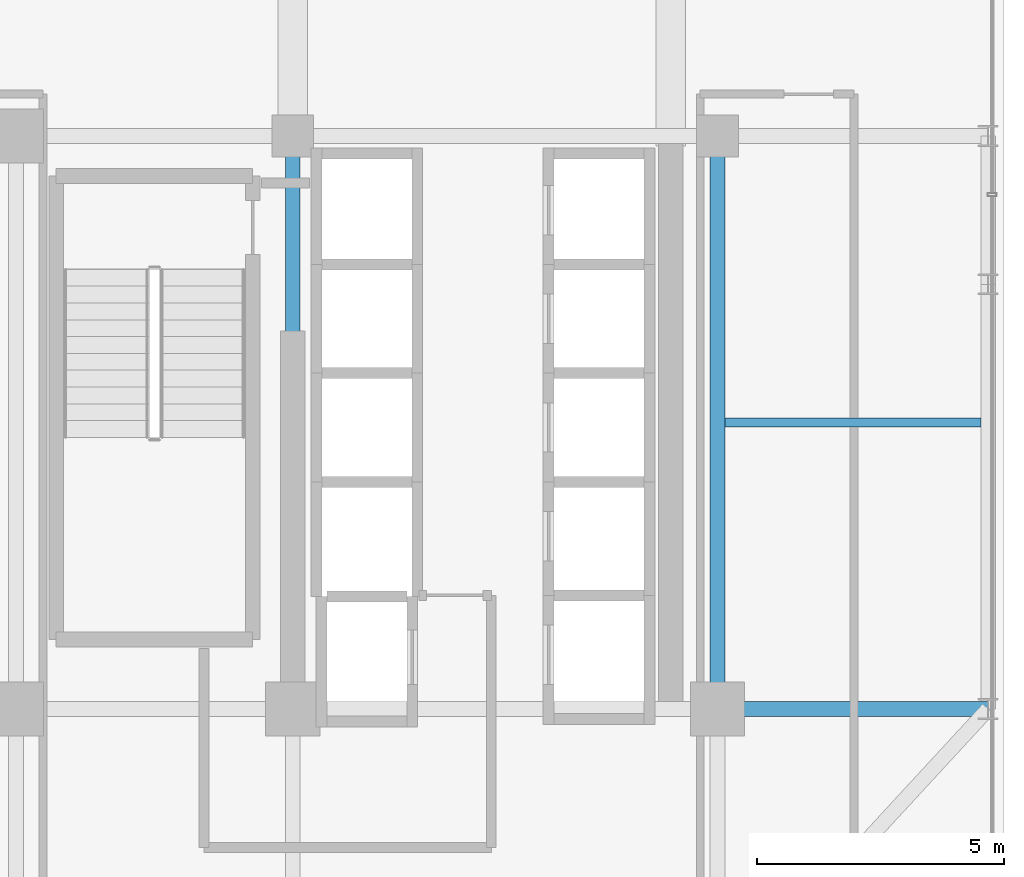
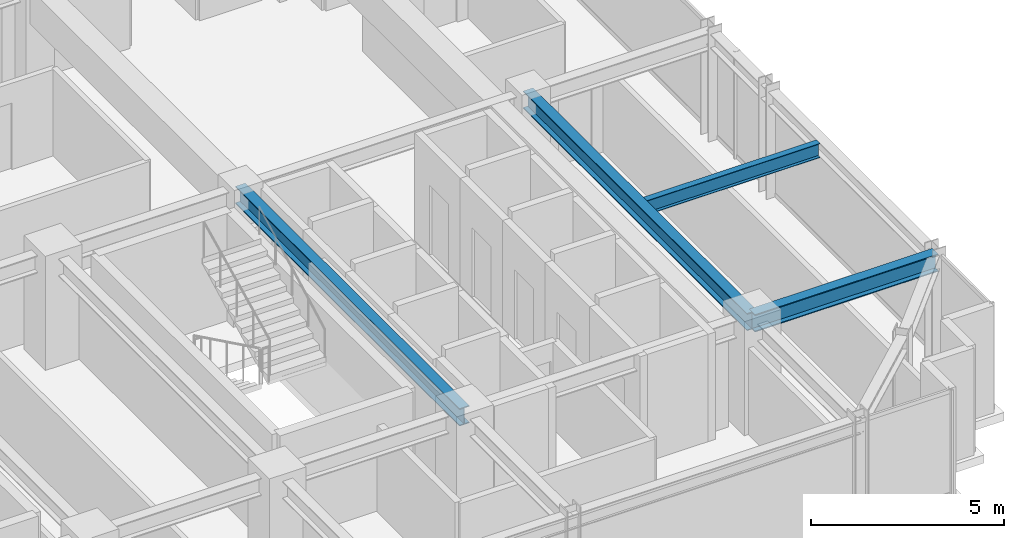
# One storey, part 13 of 31: 4 beams.
"""IFC4 building model written with IfcOpenShell, lengths in metres."""

import ifcopenshell
import ifcopenshell.guid

model = None  # the IFC model being written
_history = None  # IfcOwnerHistory: only IFC2X3 demands one
_inside = {}  # id of a spatial element -> (the spatial element, [elements in it])
_under = {}  # id of a project, library or spatial element -> (it, [spatial elements below it])
_declared = {}  # id of a project -> (the project, [libraries it declares])
_typed = {}  # id of a type object -> (the type object, [elements of that type])
_made_of = {}  # id of a material, layer set ... -> (it, [elements and type objects made of it])


def new_model(schema):
    """Start an empty IFC model of exactly this schema.

    Asked for "IFC4X3", IfcOpenShell would pick the latest addendum, in which some entities
    have other attributes; the version numbers below select the first issue.
    IFC2X3 requires an IfcOwnerHistory on every rooted entity: one is made here for all.
    """
    global model, _history
    if schema == "IFC4X3":
        model = ifcopenshell.file(schema_version=(4, 3, 0, 0))
    else:
        model = ifcopenshell.file(schema=schema)
    _inside.clear()
    _under.clear()
    _declared.clear()
    _typed.clear()
    _made_of.clear()
    _history = None
    if model.schema == "IFC2X3":
        org = make("IfcOrganization", Name="unknown")
        user = make(
            "IfcPersonAndOrganization",
            ThePerson=make("IfcPerson", FamilyName="unknown"),
            TheOrganization=org,
        )
        app = make(
            "IfcApplication",
            ApplicationDeveloper=org,
            Version="unknown",
            ApplicationFullName="unknown",
            ApplicationIdentifier="unknown",
        )
        _history = make(
            "IfcOwnerHistory",
            OwningUser=user,
            OwningApplication=app,
            ChangeAction="ADDED",
            CreationDate=0,
        )
    return model


def make(cls, **values):
    """One entity of the class cls with the attributes given. An attribute that is None is left unset."""
    return model.create_entity(
        cls, **{name: value for name, value in values.items() if value is not None}
    )


def rooted(cls, **values):
    """An entity with a GlobalId (a new one), such as an element, a storey or a relation."""
    return make(cls, GlobalId=ifcopenshell.guid.new(), OwnerHistory=_history, **values)


def si_unit(unit_type, name, prefix=None):
    """IfcSIUnit, for example si_unit("LENGTHUNIT", "METRE", prefix="MILLI")."""
    return make("IfcSIUnit", UnitType=unit_type, Prefix=prefix, Name=name)


def assignment(units):
    """IfcUnitAssignment: the units of a project."""
    return None if units is None else make("IfcUnitAssignment", Units=units)


def point(xyz):
    """IfcCartesianPoint."""
    return None if xyz is None else make("IfcCartesianPoint", Coordinates=xyz)


def direction(xyz):
    """IfcDirection."""
    return None if xyz is None else make("IfcDirection", DirectionRatios=xyz)


def frame(location, z_axis=None, x_axis=None):
    """IfcAxis2Placement3D, a coordinate frame: its origin and axes. An axis left out is left unset."""
    return make(
        "IfcAxis2Placement3D",
        Location=point(location),
        Axis=direction(z_axis),
        RefDirection=direction(x_axis),
    )


def frame_2d(location, x_axis=None):
    """IfcAxis2Placement2D, a coordinate frame in the plane: its origin and x axis."""
    return make(
        "IfcAxis2Placement2D", Location=point(location), RefDirection=direction(x_axis)
    )


def origin():
    """The frame at (0, 0, 0) with its axes left unset."""
    return frame((0.0, 0.0, 0.0))


def origin_2d():
    """The frame at (0, 0) in the plane with its x axis left unset."""
    return frame_2d((0.0, 0.0))


def place(relative_to, where):
    """IfcLocalPlacement: puts the frame where relative to a parent placement (None: the world)."""
    return make(
        "IfcLocalPlacement", PlacementRelTo=relative_to, RelativePlacement=where
    )


def context(
    kind, dimensions, precision=None, world=None, true_north=None, identifier=None
):
    """IfcGeometricRepresentationContext, for example the 3D "Model" context."""
    return make(
        "IfcGeometricRepresentationContext",
        ContextIdentifier=identifier,
        ContextType=kind,
        CoordinateSpaceDimension=dimensions,
        Precision=precision,
        WorldCoordinateSystem=world,
        TrueNorth=true_north,
    )


def subcontext(parent, identifier, kind, view, scale=None):
    """IfcGeometricRepresentationSubContext, for example "Body" below "Model"."""
    return make(
        "IfcGeometricRepresentationSubContext",
        ContextIdentifier=identifier,
        ContextType=kind,
        ParentContext=parent,
        TargetScale=scale,
        TargetView=view,
    )


def project(units=None, contexts=None):
    """IfcProject with its units and contexts."""
    return rooted(
        "IfcProject",
        Name="project",
        RepresentationContexts=contexts,
        UnitsInContext=assignment(units),
    )


def spatial(cls, under=None, at=None, **own):
    """A site, building, storey or space (cls), placed at a placement, below another one or the project."""
    s = rooted(cls, ObjectPlacement=at, **own)
    if under is not None:
        _under.setdefault(under.id(), (under, []))[1].append(s)
    return s


def profile(cls, at=None, kind="AREA", **sizes):
    """A parametric profile (cls). Its sizes go by their IFC names, for example OverallWidth=200.0."""
    return make(cls, ProfileType=kind, Position=at, **sizes)


def i_section(**sizes):
    """IfcIShapeProfileDef."""
    return profile("IfcIShapeProfileDef", **sizes)


def extrude(swept, where, along, depth):
    """IfcExtrudedAreaSolid: the profile swept, set in the frame where, extruded along a direction by depth."""
    return make(
        "IfcExtrudedAreaSolid",
        SweptArea=swept,
        Position=where,
        ExtrudedDirection=direction(along),
        Depth=depth,
    )


def shape(context_of_items, identifier, shape_type, items):
    """IfcShapeRepresentation: the items that make up one representation, for example the "Body"."""
    return make(
        "IfcShapeRepresentation",
        ContextOfItems=context_of_items,
        RepresentationIdentifier=identifier,
        RepresentationType=shape_type,
        Items=items,
    )


def source(mapping_origin, context_of_items, identifier, shape_type, items):
    """IfcRepresentationMap: a shape defined once, which mapped items show again and again."""
    return make(
        "IfcRepresentationMap",
        MappingOrigin=mapping_origin,
        MappedRepresentation=shape(context_of_items, identifier, shape_type, items),
    )


def transform(
    local_origin,
    x_axis=None,
    y_axis=None,
    z_axis=None,
    scale=None,
    scale2=None,
    scale3=None,
    uniform=True,
):
    """IfcCartesianTransformationOperator3D, or its non-uniform kind. x_axis, y_axis, z_axis: its Axis1, 2, 3."""
    if uniform:
        return make(
            "IfcCartesianTransformationOperator3D",
            Axis1=direction(x_axis),
            Axis2=direction(y_axis),
            LocalOrigin=point(local_origin),
            Scale=scale,
            Axis3=direction(z_axis),
        )
    return make(
        "IfcCartesianTransformationOperator3DnonUniform",
        Axis1=direction(x_axis),
        Axis2=direction(y_axis),
        LocalOrigin=point(local_origin),
        Scale=scale,
        Axis3=direction(z_axis),
        Scale2=scale2,
        Scale3=scale3,
    )


def mapped(mapping_source, mapping_target):
    """IfcMappedItem: shows the shape of a source again, moved by a transform."""
    return make(
        "IfcMappedItem", MappingSource=mapping_source, MappingTarget=mapping_target
    )


def material(Name=None, Category=None):
    """IfcMaterial."""
    return make("IfcMaterial", Name=Name, Category=Category)


def material_profile(
    of_material, cross_section, Name=None, Category=None, Priority=None
):
    """IfcMaterialProfile: a cross section and its material."""
    return make(
        "IfcMaterialProfile",
        Name=Name,
        Material=of_material,
        Profile=cross_section,
        Priority=Priority,
        Category=Category,
    )


def profile_set(profiles, Name=None, composite=None):
    """IfcMaterialProfileSet."""
    return make(
        "IfcMaterialProfileSet",
        Name=Name,
        MaterialProfiles=profiles,
        CompositeProfile=composite,
    )


def made_of(thing, what):
    """Note that an element or type object is made of a material, layer set ...; save() writes the relation."""
    if what is not None:
        _made_of.setdefault(what.id(), (what, []))[1].append(thing)
    return thing


def type_object(cls, material=None, **own):
    """A type object (cls), such as IfcWallType, which elements share."""
    return made_of(rooted(cls, **own), material)


def element(
    cls,
    number,
    at=None,
    inside=None,
    cuts=None,
    type_object=None,
    material=None,
    context=None,
    identifier="Body",
    shape_type=None,
    held_by="IfcProductDefinitionShape",
    body=None,
    shapes=None,
    **own,
):
    """One element of the class cls, such as IfcWall. Its Tag is "e" and its number.

    at: its placement. inside: the storey or other place that contains it. cuts: it is an
    opening in that element (IfcRelVoidsElement). A single representation is given by context,
    identifier, shape_type and body (its items); several are given by shapes. held_by: the class
    of the entity that holds the representations. save() writes the other relations.
    """
    e = rooted(cls, Tag="e%d" % number, ObjectPlacement=at, **own)
    if body is not None:
        shapes = [shape(context, identifier, shape_type, body)]
    if shapes is not None:
        e.Representation = make(held_by, Representations=shapes)
    if inside is not None:
        _inside.setdefault(inside.id(), (inside, []))[1].append(e)
    if cuts is not None:
        rooted(
            "IfcRelVoidsElement", RelatingBuildingElement=cuts, RelatedOpeningElement=e
        )
    if type_object is not None:
        _typed.setdefault(type_object.id(), (type_object, []))[1].append(e)
    return made_of(e, material)


def aggregate(whole, parts):
    """IfcRelAggregates: a whole, such as a stair, and the parts it consists of."""
    return rooted("IfcRelAggregates", RelatingObject=whole, RelatedObjects=parts)


def save(model, path):
    """Write the relations noted so far, then the file.

    IfcRelAggregates (storeys below a building ...), IfcRelContainedInSpatialStructure (elements
    in a storey), IfcRelDefinesByType, IfcRelAssociatesMaterial and IfcRelDeclares: one each for
    every whole, place, type object, material and project.
    """
    for whole, parts in _under.values():
        aggregate(whole, parts)
    for where, things in _inside.values():
        rooted(
            "IfcRelContainedInSpatialStructure",
            RelatedElements=things,
            RelatingStructure=where,
        )
    for kind, things in _typed.values():
        rooted("IfcRelDefinesByType", RelatedObjects=things, RelatingType=kind)
    for what, things in _made_of.values():
        rooted("IfcRelAssociatesMaterial", RelatedObjects=things, RelatingMaterial=what)
    for by, libraries in _declared.values():
        rooted("IfcRelDeclares", RelatingContext=by, RelatedDefinitions=libraries)
    model.write(path)


model = new_model("IFC4")

# Units and contexts
model_context = context("Model", 3, precision=1e-05, world=origin(), true_north=direction((0.0, 1.0)))
body_context = subcontext(model_context, "Body", "Model", "MODEL_VIEW")
ifc_project = project(units=[si_unit("LENGTHUNIT", "METRE"), si_unit("AREAUNIT", "SQUARE_METRE"), si_unit("VOLUMEUNIT", "CUBIC_METRE"), si_unit("PLANEANGLEUNIT", "RADIAN"), si_unit("MASSUNIT", "GRAM", prefix="KILO")], contexts=[model_context])

# Site, building, storey
site_placement = place(None, origin())
site = spatial("IfcSite", under=ifc_project, at=site_placement, CompositionType="ELEMENT")
building_placement = place(site_placement, origin())
building = spatial("IfcBuilding", under=site, at=building_placement, Name="Nahalor Promenade Grand Hotel", CompositionType="ELEMENT")
storey_placement = place(building_placement, frame((0.0, 0.0, 156.300048828125)))
storey = spatial("IfcBuildingStorey", under=building, at=storey_placement, Name="L39", CompositionType="ELEMENT", Elevation=156.300048828125)

# Beams
ifc_material = material(Name="Steel S355JR", Category="steel")
ifc_material_profile_1 = material_profile(ifc_material, i_section(OverallWidth=0.3, OverallDepth=0.55, WebThickness=0.015, FlangeThickness=0.029, at=origin_2d()), Name="HEB 550")
ifc_profile_set_1 = profile_set([ifc_material_profile_1], Name="Steel S355JR")
beam_type_1 = type_object("IfcBeamType", Name="Beam-Girder-HEB550", PredefinedType="BEAM", material=ifc_profile_set_1)
shared_shape_1 = source(origin(), body_context, "Body", "SweptSolid", [
    extrude(i_section(OverallWidth=0.3, OverallDepth=0.55, WebThickness=0.015, FlangeThickness=0.029, at=origin_2d()), origin(), (0.0, 0.0, 1.0), 11.60009765625),
])
for number, where, z_axis, x_axis, name in (
    (1, (8.39990234375, -17.0, 3.114990234375), (0.0, 1.0, 0.0), (-1.0, 0.0, 0.0), "BM-L39-GY-4-1"),
    (2, (17.0, -17.0, 3.114990234375), (0.0, 1.0, 0.0), (-1.0, 0.0, 0.0), "BM-L39-GY-5-1"),
):
    element("IfcBeam", number, at=place(storey_placement, frame(where, z_axis=z_axis, x_axis=x_axis)), inside=storey, type_object=beam_type_1, Name=name, PredefinedType="BEAM", context=body_context, shape_type="MappedRepresentation", body=[
        mapped(shared_shape_1, transform((0.0, 0.0, 0.0), scale=1.0)),
    ])
shared_shape_2 = source(origin(), body_context, "Body", "SweptSolid", [
    extrude(i_section(OverallWidth=0.3, OverallDepth=0.55, WebThickness=0.015, FlangeThickness=0.029, at=origin_2d()), origin(), (0.0, 0.0, 1.0), 5.47998046875),
])
beam_1_placement = place(storey_placement, frame((17.0, -17.0, 3.114990234375), z_axis=(1.0, 0.0, 0.0), x_axis=(0.0, 1.0, 0.0)))
element("IfcBeam", 3, at=beam_1_placement, inside=storey, type_object=beam_type_1, Name="BM-L39-GX-0-6", PredefinedType="BEAM", context=body_context, shape_type="MappedRepresentation", body=[
    mapped(shared_shape_2, transform((0.0, 0.0, 0.0), scale=1.0)),
])
ifc_material_profile_2 = material_profile(ifc_material, i_section(OverallWidth=0.19, OverallDepth=0.45, WebThickness=0.0094, FlangeThickness=0.0146, at=origin_2d()), Name="IPE 450")
ifc_profile_set_2 = profile_set([ifc_material_profile_2], Name="Steel S355JR")
beam_type_2 = type_object("IfcBeamType", Name="Beam-Joist-IPE450", PredefinedType="JOIST", material=ifc_profile_set_2)
shared_shape_3 = source(origin(), body_context, "Body", "SweptSolid", [
    extrude(i_section(OverallWidth=0.19, OverallDepth=0.45, WebThickness=0.0094, FlangeThickness=0.0146, at=origin_2d()), origin(), (0.0, 0.0, 1.0), 5.18017578125),
])
beam_2_placement = place(storey_placement, frame((17.14990234375, -11.199951171875, 3.1650390625), z_axis=(1.0, 0.0, 0.0), x_axis=(0.0, 1.0, 0.0)))
element("IfcBeam", 4, at=beam_2_placement, inside=storey, type_object=beam_type_2, Name="BM-L39-JSE-0-2", PredefinedType="JOIST", context=body_context, shape_type="MappedRepresentation", body=[
    mapped(shared_shape_3, transform((0.0, 0.0, 0.0), scale=1.0)),
])

save(model, "model.ifc")
